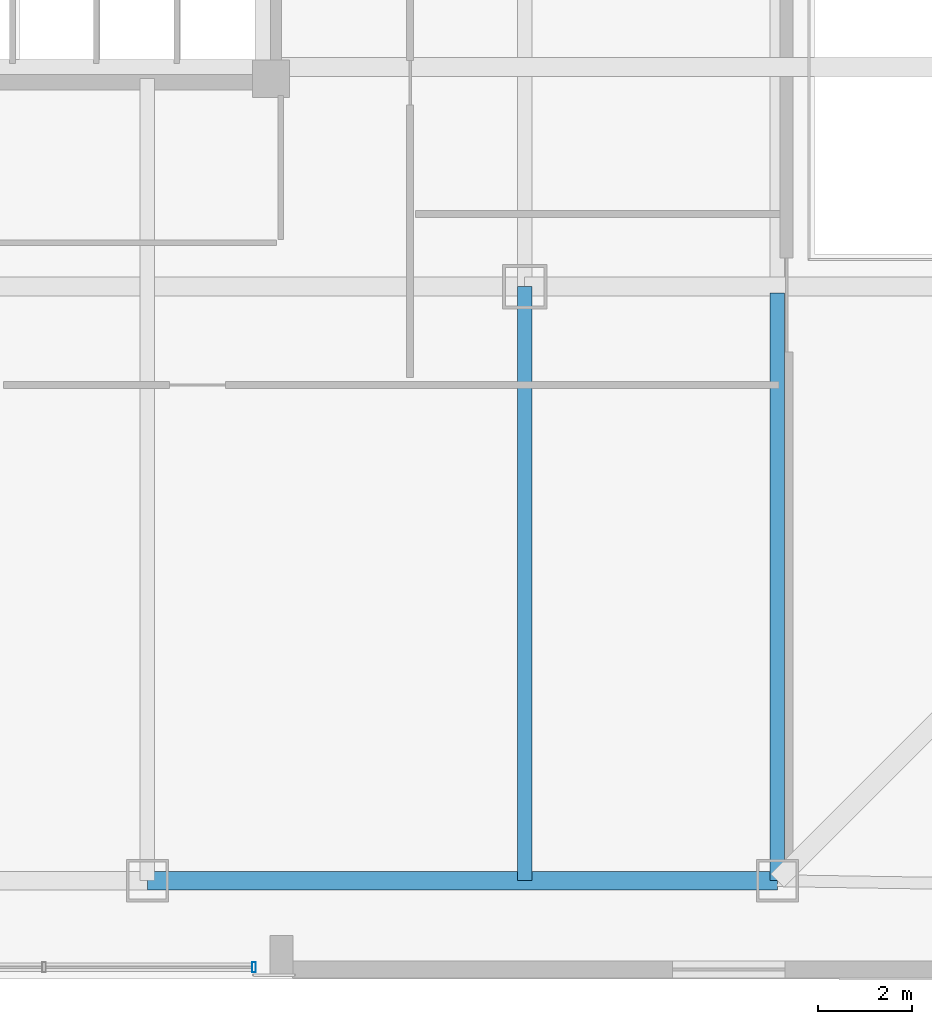
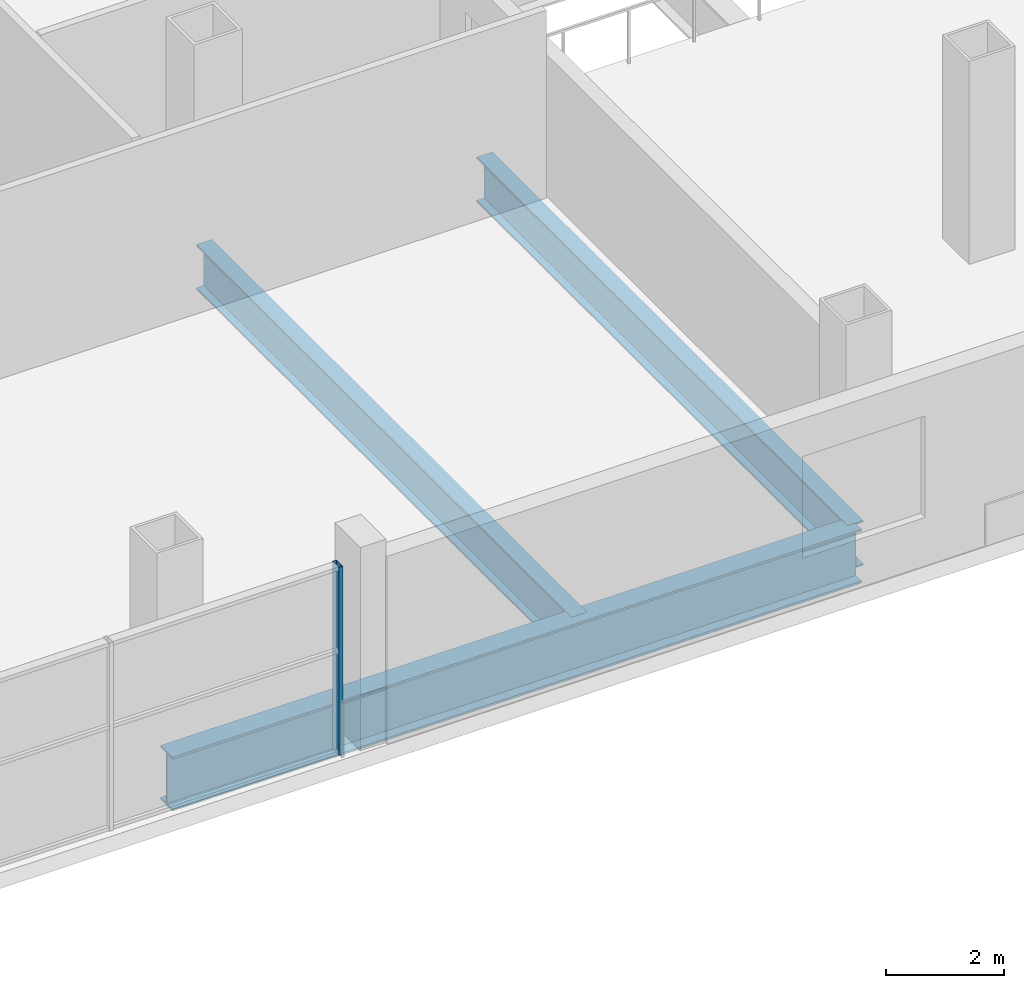
# One storey, part 6 of 21: 3 beams, 1 member, 1 element without a shape of its own.
"""IFC4 building model written with IfcOpenShell, lengths in metres."""

from ifc_helpers import new_model, si_unit, direction, frame, origin, origin_2d, place, context, subcontext, project, spatial, hollow_rectangle, i_section, extrude, material, layer, layer_set, material_profile, profile_set, type_object, element, aggregate, save


model = new_model("IFC4")

# Units and contexts
model_context = context("Model", 3, precision=1e-05, world=origin(), true_north=direction((0.0, 1.0)))
body_context = subcontext(model_context, "Body", "Model", "MODEL_VIEW")
ifc_project = project(units=[si_unit("LENGTHUNIT", "METRE"), si_unit("AREAUNIT", "SQUARE_METRE"), si_unit("VOLUMEUNIT", "CUBIC_METRE"), si_unit("PLANEANGLEUNIT", "RADIAN"), si_unit("MASSUNIT", "GRAM", prefix="KILO")], contexts=[model_context])

# Site, building, storey
site_placement = place(None, origin())
site = spatial("IfcSite", under=ifc_project, at=site_placement, CompositionType="ELEMENT")
building_placement = place(site_placement, origin())
building = spatial("IfcBuilding", under=site, at=building_placement, Name="Qhalaya Broadcast Tower", CompositionType="ELEMENT")
storey_placement = place(building_placement, frame((0.0, 0.0, 9.300048828125)))
storey = spatial("IfcBuildingStorey", under=building, at=storey_placement, Name="L02", CompositionType="ELEMENT", Elevation=9.300048828125)

# Beams
ifc_material_1 = material(Name="Structural Steel ASTM A992 Grade 50", Category="steel")
ifc_material_profile_1 = material_profile(ifc_material_1, i_section(OverallWidth=0.306884765625, OverallDepth=0.927001953125, WebThickness=0.019287109375, FlangeThickness=0.031982421875, at=origin_2d()), Name="W36X194")
ifc_profile_set_1 = profile_set([ifc_material_profile_1], Name="Structural Steel ASTM A992 Grade 50")
beam_type_1 = type_object("IfcBeamType", Name="Heavy Studio Floor Beam B01", PredefinedType="BEAM", material=ifc_profile_set_1)
beam_1_placement = place(storey_placement, frame((14.800048828125, -25.89990234375, -0.783447265625), z_axis=(0.0, 1.0, 0.0), x_axis=(-1.0, 0.0, 0.0)))
element("IfcBeam", 1, at=beam_1_placement, inside=storey, type_object=beam_type_1, Name="L02 B01 L02-JS-S+14.8", PredefinedType="BEAM", context=body_context, shape_type="SweptSolid", body=[
    extrude(i_section(OverallWidth=0.306884765625, OverallDepth=0.927001953125, WebThickness=0.019287109375, FlangeThickness=0.031982421875, at=origin_2d()), origin(), (0.0, 0.0, 1.0), 12.699951171875),
])
beam_2_placement = place(storey_placement, frame((20.199951171875, -25.89990234375, -0.783447265625), z_axis=(0.0, 1.0, 0.0), x_axis=(-1.0, 0.0, 0.0)))
element("IfcBeam", 2, at=beam_2_placement, inside=storey, type_object=beam_type_1, Name="L02 B01 L02-JS-S+20.2", PredefinedType="BEAM", context=body_context, shape_type="SweptSolid", body=[
    extrude(i_section(OverallWidth=0.306884765625, OverallDepth=0.927001953125, WebThickness=0.019287109375, FlangeThickness=0.031982421875, at=origin_2d()), origin(), (0.0, 0.0, 1.0), 12.559814453125),
])
ifc_material_profile_2 = material_profile(ifc_material_1, i_section(OverallWidth=0.404052734375, OverallDepth=1.117919921875, WebThickness=0.026123046875, FlangeThickness=0.044921875, at=origin_2d()), Name="W44X335")
ifc_profile_set_2 = profile_set([ifc_material_profile_2], Name="Structural Steel ASTM A992 Grade 50")
beam_type_2 = type_object("IfcBeamType", Name="Podium Long-Span Primary Girder PG1", PredefinedType="USERDEFINED", material=ifc_profile_set_2)
beam_3_placement = place(storey_placement, frame((6.7333984375, -25.89990234375, -0.879150390625), z_axis=(1.0, 0.0, 0.0), x_axis=(0.0, 1.0, 0.0)))
element("IfcBeam", 3, at=beam_3_placement, inside=storey, type_object=beam_type_2, Name="L02 PG1 L02-PG-R03", ObjectType="GIRDER", PredefinedType="USERDEFINED", context=body_context, shape_type="SweptSolid", body=[
    extrude(i_section(OverallWidth=0.404052734375, OverallDepth=1.117919921875, WebThickness=0.026123046875, FlangeThickness=0.044921875, at=origin_2d()), origin(), (0.0, 0.0, 1.0), 13.466552734375),
])

# Curtain wall, member
ifc_material_2 = material(Name="Solar-Control Low-E Triple Glazing", Category="glass")
ifc_layer = layer(ifc_material_2, 0.219970703125, Name="Solar-Control Low-E Triple Glazing")
ifc_layer_set = layer_set([ifc_layer], Name="Solar-Control Low-E Triple Glazing")
curtain_wall_type = type_object("IfcCurtainWallType", Name="Podium Concourse Triple-Height Glazed Portal CW-01", PredefinedType="NOTDEFINED", material=ifc_layer_set)
curtain_wall_placement = place(storey_placement, origin())
curtain_wall = element("IfcCurtainWall", 4, at=curtain_wall_placement, inside=storey, type_object=curtain_wall_type, Name="L02 Unitised Curtain Wall L02-CW01-S", PredefinedType="NOTDEFINED")
ifc_material_3 = material(Name="Anodised Aluminium 6063-T6", Category="aluminium")
ifc_material_profile_3 = material_profile(ifc_material_3, hollow_rectangle(XDim=0.074951171875, YDim=0.219970703125, WallThickness=0.00390625, at=origin_2d()), Name="ALU-MUL 75x220x4")
ifc_profile_set_3 = profile_set([ifc_material_profile_3], Name="Anodised Aluminium 6063-T6")
member_type = type_object("IfcMemberType", Name="Unitised Curtain-Wall Mullion M01", PredefinedType="MULLION", material=ifc_profile_set_3)
member_placement = place(storey_placement, frame((9.012451171875, -27.75, 0.0), z_axis=(0.0, 0.0, 1.0), x_axis=(1.0, 0.0, 0.0)))
member = element("IfcMember", 5, at=member_placement, type_object=member_type, Name="CW-01 mullion 5", PredefinedType="MULLION", context=body_context, shape_type="SweptSolid", body=[
    extrude(hollow_rectangle(XDim=0.074951171875, YDim=0.219970703125, WallThickness=0.00390625, at=origin_2d()), origin(), (0.0, 0.0, 1.0), 3.8798828125),
])
aggregate(curtain_wall, [member])

save(model, "model.ifc")
